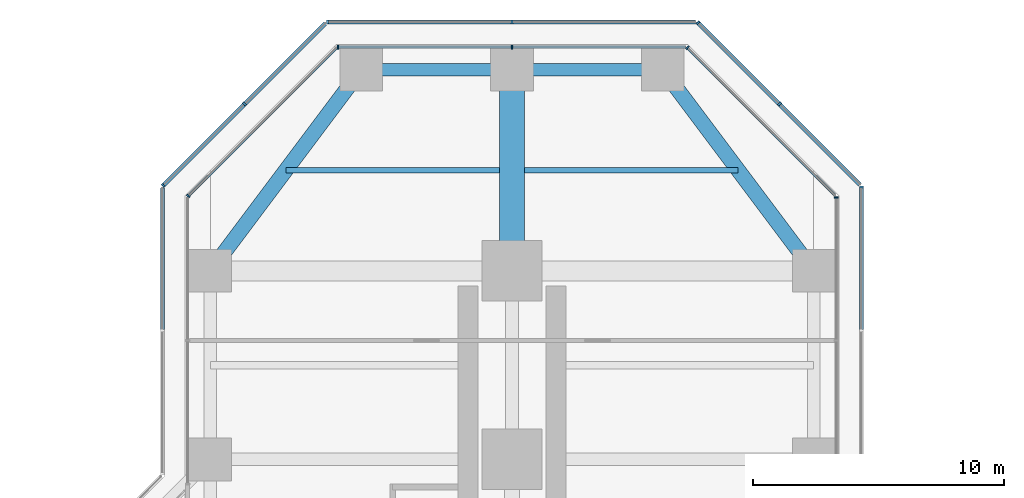
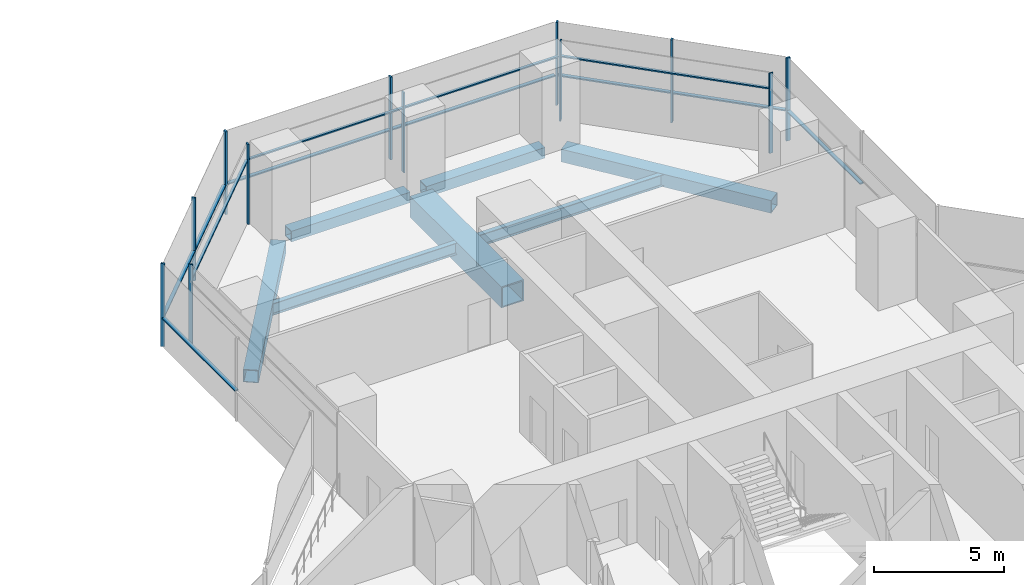
# One storey, part 13 of 22: 24 members, 7 beams, 9 elements without a shape of their own.
"""IFC4 building model written with IfcOpenShell, lengths in metres."""

from ifc_helpers import new_model, si_unit, direction, frame, origin, origin_2d, place, context, subcontext, project, spatial, rectangle, hollow_rectangle, i_section, extrude, material, material_profile, profile_set, type_object, element, aggregate, save


model = new_model("IFC4")

# Units and contexts
model_context = context("Model", 3, precision=1e-05, world=origin(), true_north=direction((0.0, 1.0)))
body_context = subcontext(model_context, "Body", "Model", "MODEL_VIEW")
ifc_project = project(units=[si_unit("LENGTHUNIT", "METRE"), si_unit("AREAUNIT", "SQUARE_METRE"), si_unit("VOLUMEUNIT", "CUBIC_METRE"), si_unit("PLANEANGLEUNIT", "RADIAN"), si_unit("MASSUNIT", "GRAM", prefix="KILO")], contexts=[model_context])

# Site, building, storey
site_placement = place(None, origin())
site = spatial("IfcSite", under=ifc_project, at=site_placement, CompositionType="ELEMENT")
building_placement = place(site_placement, origin())
building = spatial("IfcBuilding", under=site, at=building_placement, Name="Mizan Broadcast Tower", CompositionType="ELEMENT")
storey_placement = place(building_placement, frame((0.0, 0.0, 74.699951171875)))
storey = spatial("IfcBuildingStorey", under=building, at=storey_placement, Name="L15", CompositionType="ELEMENT", Elevation=74.699951171875)

# Beams
ifc_material_1 = material(Name="Steel S355", Category="steel")
ifc_material_profile_1 = material_profile(ifc_material_1, hollow_rectangle(XDim=0.5, YDim=0.5, WallThickness=0.030029296875, at=origin_2d()), Name="BOX 500x500x30")
ifc_profile_set_1 = profile_set([ifc_material_profile_1], Name="Steel S355")
beam_type_1 = type_object("IfcBeamType", Name="EDGE BEAM BOX 500x500x30", PredefinedType="SPANDREL", material=ifc_profile_set_1)
for number, where, z_axis, x_axis, name in (
    (1, (5.639892578125, 35.0, -0.3798828125), (-1.0, 0.0, 0.0), (0.0, -1.0, 0.0), "Edge beam BOX 500x500x30 L15 north arm"),
    (2, (-5.639892578125, 35.0, -0.3798828125), (1.0, 0.0, 0.0), (0.0, 1.0, 0.0), "Edge beam BOX 500x500x30 L15 north arm"),
):
    element("IfcBeam", number, at=place(storey_placement, frame(where, z_axis=z_axis, x_axis=x_axis)), inside=storey, type_object=beam_type_1, Name=name, PredefinedType="SPANDREL", context=body_context, shape_type="SweptSolid", body=[
        extrude(hollow_rectangle(XDim=0.5, YDim=0.5, WallThickness=0.030029296875, at=origin_2d()), origin(), (0.0, 0.0, 1.0), 5.27978515625),
    ])
ifc_material_2 = material(Name="Steel S355", Category="steel")
ifc_material_profile_2 = material_profile(ifc_material_2, hollow_rectangle(XDim=0.60009765625, YDim=0.60009765625, WallThickness=0.030029296875, at=origin_2d()), Name="BOX 600x600x30")
ifc_profile_set_2 = profile_set([ifc_material_profile_2], Name="Steel S355")
beam_type_2 = type_object("IfcBeamType", Name="EDGE BEAM BOX 600x600x30", PredefinedType="SPANDREL", material=ifc_profile_set_2)
for number, where, z_axis, x_axis, name in (
    (3, (11.639892578125, 27.47998046875, -0.429931640625), (-0.599982243973, 0.800013316712, 0.0), (-0.800013316712, -0.599982243973, 0.0), "Edge beam BOX 600x600x30 L15 north arm"),
    (4, (-11.639892578125, 27.47998046875, -0.429931640625), (0.599982243973, 0.800013316712, 0.0), (-0.800013316712, 0.599982243973, 0.0), "Edge beam BOX 600x600x30 L15 north arm"),
):
    element("IfcBeam", number, at=place(storey_placement, frame(where, z_axis=z_axis, x_axis=x_axis)), inside=storey, type_object=beam_type_2, Name=name, PredefinedType="SPANDREL", context=body_context, shape_type="SweptSolid", body=[
        extrude(hollow_rectangle(XDim=0.60009765625, YDim=0.60009765625, WallThickness=0.030029296875, at=origin_2d()), origin(), (0.0, 0.0, 1.0), 8.7998046875),
    ])
ifc_material_3 = material(Name="Steel S460", Category="steel")
ifc_material_profile_3 = material_profile(ifc_material_3, hollow_rectangle(XDim=1.0, YDim=1.0, WallThickness=0.06005859375, at=origin_2d()), Name="BOX 1000x1000x60")
ifc_profile_set_3 = profile_set([ifc_material_profile_3], Name="Steel S460")
beam_type_3 = type_object("IfcBeamType", Name="GIRDER BOX 1000x1000x60", PredefinedType="BEAM", material=ifc_profile_set_3)
beam_placement = place(storey_placement, frame((0.0, 27.47998046875, -0.6298828125), z_axis=(0.0, 1.0, 0.0), x_axis=(-1.0, 0.0, 0.0)))
element("IfcBeam", 5, at=beam_placement, inside=storey, type_object=beam_type_3, Name="Girder BOX 1000x1000x60 L15 north arm", PredefinedType="BEAM", context=body_context, shape_type="SweptSolid", body=[
    extrude(hollow_rectangle(XDim=1.0, YDim=1.0, WallThickness=0.06005859375, at=origin_2d()), origin(), (0.0, 0.0, 1.0), 7.0400390625),
])

# Curtain wall, member
ifc_material_4 = material(Name="Aluminium framed glazing", Category="aluminium")
curtain_wall_type_1 = type_object("IfcCurtainWallType", Name="INNER SKIN LOW ZONE", PredefinedType="USERDEFINED", material=ifc_material_4)
curtain_wall_1_placement = place(storey_placement, origin())
curtain_wall_1 = element("IfcCurtainWall", 6, at=curtain_wall_1_placement, inside=storey, type_object=curtain_wall_type_1, Name="Inner skin low zone L15 N side", ObjectType="INNER SKIN LOW ZONE", PredefinedType="USERDEFINED")
ifc_material_5 = material(Name="Aluminium, pale anodised", Category="aluminium")
ifc_material_profile_4 = material_profile(ifc_material_5, rectangle(XDim=0.159912109375, YDim=0.06005859375, at=origin_2d()), Name="MULLION 160x60")
ifc_profile_set_4 = profile_set([ifc_material_profile_4], Name="Aluminium, pale anodised")
member_type_1 = type_object("IfcMemberType", Name="INNER SKIN MULLION 60x160", PredefinedType="MULLION", material=ifc_profile_set_4)
member_1_placement = place(storey_placement, frame((12.89990234375, 29.928466796875, 0.0), z_axis=(0.0, 0.0, 1.0), x_axis=(-1.0, 0.0, 0.0)))
member_1 = element("IfcMember", 7, at=member_1_placement, type_object=member_type_1, Name="Inner skin low zone L15 N side mullion 3", PredefinedType="MULLION", context=body_context, shape_type="SweptSolid", body=[
    extrude(rectangle(XDim=0.159912109375, YDim=0.06005859375, at=origin_2d()), origin(), (0.0, 0.0, 1.0), 3.77001953125),
])
aggregate(curtain_wall_1, [member_1])

curtain_wall_2_placement = place(storey_placement, origin())
curtain_wall_2 = element("IfcCurtainWall", 8, at=curtain_wall_2_placement, inside=storey, type_object=curtain_wall_type_1, Name="Inner skin low zone L15 N chamfer", ObjectType="INNER SKIN LOW ZONE", PredefinedType="USERDEFINED")
member_2_placement = place(storey_placement, frame((6.979736328125, 35.87890625, 0.0), z_axis=(0.0, 0.0, 1.0), x_axis=(-0.707106781187, -0.707106781187, 0.0)))
member_2 = element("IfcMember", 9, at=member_2_placement, type_object=member_type_1, Name="Inner skin low zone L15 N chamfer mullion 2", PredefinedType="MULLION", context=body_context, shape_type="SweptSolid", body=[
    extrude(rectangle(XDim=0.159912109375, YDim=0.06005859375, at=origin_2d()), origin(), (0.0, 0.0, 1.0), 3.77001953125),
])

# Curtain wall, members
curtain_wall_3_placement = place(storey_placement, origin())
curtain_wall_3 = element("IfcCurtainWall", 10, at=curtain_wall_3_placement, inside=storey, type_object=curtain_wall_type_1, Name="Inner skin low zone L15 N end", ObjectType="INNER SKIN LOW ZONE", PredefinedType="USERDEFINED")
member_3_placement = place(storey_placement, frame((0.0, 35.89990234375, 0.0), z_axis=(0.0, 0.0, 1.0), x_axis=(0.0, -1.0, 0.0)))
member_3 = element("IfcMember", 11, at=member_3_placement, type_object=member_type_1, Name="Inner skin low zone L15 N end mullion 2", PredefinedType="MULLION", context=body_context, shape_type="SweptSolid", body=[
    extrude(rectangle(XDim=0.159912109375, YDim=0.06005859375, at=origin_2d()), origin(), (0.0, 0.0, 1.0), 3.77001953125),
])
member_4_placement = place(storey_placement, frame((-6.928466796875, 35.89990234375, 0.0), z_axis=(0.0, 0.0, 1.0), x_axis=(0.0, -1.0, 0.0)))
member_4 = element("IfcMember", 12, at=member_4_placement, type_object=member_type_1, Name="Inner skin low zone L15 N end mullion 3", PredefinedType="MULLION", context=body_context, shape_type="SweptSolid", body=[
    extrude(rectangle(XDim=0.159912109375, YDim=0.06005859375, at=origin_2d()), origin(), (0.0, 0.0, 1.0), 3.77001953125),
])

# Curtain wall, member
curtain_wall_4_placement = place(storey_placement, origin())
curtain_wall_4 = element("IfcCurtainWall", 13, at=curtain_wall_4_placement, inside=storey, type_object=curtain_wall_type_1, Name="Inner skin low zone L15 N chamfer", ObjectType="INNER SKIN LOW ZONE", PredefinedType="USERDEFINED")
member_5_placement = place(storey_placement, frame((-12.87890625, 29.979736328125, 0.0), z_axis=(0.0, 0.0, 1.0), x_axis=(0.707106781187, -0.707106781187, 0.0)))
member_5 = element("IfcMember", 14, at=member_5_placement, type_object=member_type_1, Name="Inner skin low zone L15 N chamfer mullion 2", PredefinedType="MULLION", context=body_context, shape_type="SweptSolid", body=[
    extrude(rectangle(XDim=0.159912109375, YDim=0.06005859375, at=origin_2d()), origin(), (0.0, 0.0, 1.0), 3.77001953125),
])

# Member
ifc_material_6 = material(Name="Aluminium, pale anodised", Category="aluminium")
ifc_material_profile_5 = material_profile(ifc_material_6, rectangle(XDim=0.1201171875, YDim=0.06005859375, at=origin_2d()), Name="TRANSOM 120x60")
ifc_profile_set_5 = profile_set([ifc_material_profile_5], Name="Aluminium, pale anodised")
member_type_2 = type_object("IfcMemberType", Name="INNER SKIN TRANSOM 60x120", PredefinedType="USERDEFINED", material=ifc_profile_set_5)
member_6_placement = place(storey_placement, frame((12.857666015625, 30.0009765625, 3.030029296875), z_axis=(-0.707106781187, 0.707106781187, 0.0), x_axis=(-0.707106781187, -0.707106781187, 0.0)))
member_6 = element("IfcMember", 15, at=member_6_placement, type_object=member_type_2, Name="Inner skin low zone L15 N chamfer transom 1.1", ObjectType="TRANSOM", PredefinedType="USERDEFINED", context=body_context, shape_type="SweptSolid", body=[
    extrude(rectangle(XDim=0.1201171875, YDim=0.06005859375, at=origin_2d()), origin(), (0.0, 0.0, 1.0), 8.28271484375),
])

aggregate(curtain_wall_2, [member_2, member_6])

member_7_placement = place(storey_placement, frame((6.898681640625, 35.89990234375, 3.030029296875), z_axis=(-1.0, 0.0, 0.0), x_axis=(0.0, -1.0, 0.0)))
member_7 = element("IfcMember", 16, at=member_7_placement, type_object=member_type_2, Name="Inner skin low zone L15 N end transom 1.1", ObjectType="TRANSOM", PredefinedType="USERDEFINED", context=body_context, shape_type="SweptSolid", body=[
    extrude(rectangle(XDim=0.1201171875, YDim=0.06005859375, at=origin_2d()), origin(), (0.0, 0.0, 1.0), 6.86865234375),
])

member_8_placement = place(storey_placement, frame((-0.030029296875, 35.89990234375, 3.030029296875), z_axis=(-1.0, 0.0, 0.0), x_axis=(0.0, -1.0, 0.0)))
member_8 = element("IfcMember", 17, at=member_8_placement, type_object=member_type_2, Name="Inner skin low zone L15 N end transom 2.1", ObjectType="TRANSOM", PredefinedType="USERDEFINED", context=body_context, shape_type="SweptSolid", body=[
    extrude(rectangle(XDim=0.1201171875, YDim=0.06005859375, at=origin_2d()), origin(), (0.0, 0.0, 1.0), 6.86865234375),
])

aggregate(curtain_wall_3, [member_3, member_4, member_7, member_8])

member_9_placement = place(storey_placement, frame((-7.0009765625, 35.857666015625, 3.030029296875), z_axis=(-0.707106781187, -0.707106781187, 0.0), x_axis=(0.707106781187, -0.707106781187, 0.0)))
member_9 = element("IfcMember", 18, at=member_9_placement, type_object=member_type_2, Name="Inner skin low zone L15 N chamfer transom 1.1", ObjectType="TRANSOM", PredefinedType="USERDEFINED", context=body_context, shape_type="SweptSolid", body=[
    extrude(rectangle(XDim=0.1201171875, YDim=0.06005859375, at=origin_2d()), origin(), (0.0, 0.0, 1.0), 8.28271484375),
])

aggregate(curtain_wall_4, [member_5, member_9])

# Curtain wall, member
ifc_material_7 = material(Name="Aluminium framed glazing", Category="aluminium")
curtain_wall_type_2 = type_object("IfcCurtainWallType", Name="OUTER SKIN", PredefinedType="USERDEFINED", material=ifc_material_7)
curtain_wall_5_placement = place(storey_placement, origin())
curtain_wall_5 = element("IfcCurtainWall", 19, at=curtain_wall_5_placement, inside=storey, type_object=curtain_wall_type_2, Name="Outer skin L15 N side", ObjectType="OUTER SKIN", PredefinedType="USERDEFINED")
ifc_material_8 = material(Name="Aluminium, pale anodised", Category="aluminium")
ifc_material_profile_6 = material_profile(ifc_material_8, rectangle(XDim=0.159912109375, YDim=0.080078125, at=origin_2d()), Name="MULLION 160x80")
ifc_profile_set_6 = profile_set([ifc_material_profile_6], Name="Aluminium, pale anodised")
member_type_3 = type_object("IfcMemberType", Name="OUTER SKIN MULLION 80x160", PredefinedType="MULLION", material=ifc_profile_set_6)
member_10_placement = place(storey_placement, frame((13.89990234375, 30.332763671875, 0.0), z_axis=(0.0, 0.0, 1.0), x_axis=(-1.0, 0.0, 0.0)))
member_10 = element("IfcMember", 20, at=member_10_placement, type_object=member_type_3, Name="Outer skin L15 N side mullion 3", PredefinedType="MULLION", context=body_context, shape_type="SweptSolid", body=[
    extrude(rectangle(XDim=0.159912109375, YDim=0.080078125, at=origin_2d()), origin(), (0.0, 0.0, 1.0), 3.900146484375),
])

# Curtain wall, members
curtain_wall_6_placement = place(storey_placement, origin())
curtain_wall_6 = element("IfcCurtainWall", 21, at=curtain_wall_6_placement, inside=storey, type_object=curtain_wall_type_2, Name="Outer skin L15 N chamfer", ObjectType="OUTER SKIN", PredefinedType="USERDEFINED")
member_11_placement = place(storey_placement, frame((10.636474609375, 33.636474609375, 0.0), z_axis=(0.0, 0.0, 1.0), x_axis=(-0.707106781187, -0.707106781187, 0.0)))
member_11 = element("IfcMember", 22, at=member_11_placement, type_object=member_type_3, Name="Outer skin L15 N chamfer mullion 2", PredefinedType="MULLION", context=body_context, shape_type="SweptSolid", body=[
    extrude(rectangle(XDim=0.159912109375, YDim=0.080078125, at=origin_2d()), origin(), (0.0, 0.0, 1.0), 3.900146484375),
])
member_12_placement = place(storey_placement, frame((7.401123046875, 36.871826171875, 0.0), z_axis=(0.0, 0.0, 1.0), x_axis=(-0.707106781187, -0.707106781187, 0.0)))
member_12 = element("IfcMember", 23, at=member_12_placement, type_object=member_type_3, Name="Outer skin L15 N chamfer mullion 3", PredefinedType="MULLION", context=body_context, shape_type="SweptSolid", body=[
    extrude(rectangle(XDim=0.159912109375, YDim=0.080078125, at=origin_2d()), origin(), (0.0, 0.0, 1.0), 3.900146484375),
])

curtain_wall_7_placement = place(storey_placement, origin())
curtain_wall_7 = element("IfcCurtainWall", 24, at=curtain_wall_7_placement, inside=storey, type_object=curtain_wall_type_2, Name="Outer skin L15 N end", ObjectType="OUTER SKIN", PredefinedType="USERDEFINED")
member_13_placement = place(storey_placement, frame((0.0, 36.89990234375, 0.0), z_axis=(0.0, 0.0, 1.0), x_axis=(0.0, -1.0, 0.0)))
member_13 = element("IfcMember", 25, at=member_13_placement, type_object=member_type_3, Name="Outer skin L15 N end mullion 2", PredefinedType="MULLION", context=body_context, shape_type="SweptSolid", body=[
    extrude(rectangle(XDim=0.159912109375, YDim=0.080078125, at=origin_2d()), origin(), (0.0, 0.0, 1.0), 3.900146484375),
])
member_14_placement = place(storey_placement, frame((-7.332763671875, 36.89990234375, 0.0), z_axis=(0.0, 0.0, 1.0), x_axis=(0.0, -1.0, 0.0)))
member_14 = element("IfcMember", 26, at=member_14_placement, type_object=member_type_3, Name="Outer skin L15 N end mullion 3", PredefinedType="MULLION", context=body_context, shape_type="SweptSolid", body=[
    extrude(rectangle(XDim=0.159912109375, YDim=0.080078125, at=origin_2d()), origin(), (0.0, 0.0, 1.0), 3.900146484375),
])

curtain_wall_8_placement = place(storey_placement, origin())
curtain_wall_8 = element("IfcCurtainWall", 27, at=curtain_wall_8_placement, inside=storey, type_object=curtain_wall_type_2, Name="Outer skin L15 N chamfer", ObjectType="OUTER SKIN", PredefinedType="USERDEFINED")
member_15_placement = place(storey_placement, frame((-10.636474609375, 33.636474609375, 0.0), z_axis=(0.0, 0.0, 1.0), x_axis=(0.707106781187, -0.707106781187, 0.0)))
member_15 = element("IfcMember", 28, at=member_15_placement, type_object=member_type_3, Name="Outer skin L15 N chamfer mullion 2", PredefinedType="MULLION", context=body_context, shape_type="SweptSolid", body=[
    extrude(rectangle(XDim=0.159912109375, YDim=0.080078125, at=origin_2d()), origin(), (0.0, 0.0, 1.0), 3.900146484375),
])
member_16_placement = place(storey_placement, frame((-13.871826171875, 30.401123046875, 0.0), z_axis=(0.0, 0.0, 1.0), x_axis=(0.707106781187, -0.707106781187, 0.0)))
member_16 = element("IfcMember", 29, at=member_16_placement, type_object=member_type_3, Name="Outer skin L15 N chamfer mullion 3", PredefinedType="MULLION", context=body_context, shape_type="SweptSolid", body=[
    extrude(rectangle(XDim=0.159912109375, YDim=0.080078125, at=origin_2d()), origin(), (0.0, 0.0, 1.0), 3.900146484375),
])

# Member
ifc_material_9 = material(Name="Aluminium, pale anodised", Category="aluminium")
ifc_material_profile_7 = material_profile(ifc_material_9, rectangle(XDim=0.159912109375, YDim=0.06005859375, at=origin_2d()), Name="TRANSOM 160x60")
ifc_profile_set_7 = profile_set([ifc_material_profile_7], Name="Aluminium, pale anodised")
member_type_4 = type_object("IfcMemberType", Name="OUTER SKIN TRANSOM 60x160", PredefinedType="USERDEFINED", material=ifc_profile_set_7)
member_17_placement = place(storey_placement, frame((13.89990234375, 24.662841796875, 1.400146484375), z_axis=(0.0, 1.0, 0.0), x_axis=(-1.0, 0.0, 0.0)))
member_17 = element("IfcMember", 30, at=member_17_placement, type_object=member_type_4, Name="Outer skin L15 N side transom 2.1", ObjectType="TRANSOM", PredefinedType="USERDEFINED", context=body_context, shape_type="SweptSolid", body=[
    extrude(rectangle(XDim=0.159912109375, YDim=0.06005859375, at=origin_2d()), origin(), (0.0, 0.0, 1.0), 5.6298828125),
])

aggregate(curtain_wall_5, [member_10, member_17])

member_18_placement = place(storey_placement, frame((13.843505859375, 30.429443359375, 1.400146484375), z_axis=(-0.707106781187, 0.707106781187, 0.0), x_axis=(-0.707106781187, -0.707106781187, 0.0)))
member_18 = element("IfcMember", 31, at=member_18_placement, type_object=member_type_4, Name="Outer skin L15 N chamfer transom 1.1", ObjectType="TRANSOM", PredefinedType="USERDEFINED", context=body_context, shape_type="SweptSolid", body=[
    extrude(rectangle(XDim=0.159912109375, YDim=0.06005859375, at=origin_2d()), origin(), (0.0, 0.0, 1.0), 4.495361328125),
])

member_19_placement = place(storey_placement, frame((10.608154296875, 33.664794921875, 1.400146484375), z_axis=(-0.707106781187, 0.707106781187, 0.0), x_axis=(-0.707106781187, -0.707106781187, 0.0)))
member_19 = element("IfcMember", 32, at=member_19_placement, type_object=member_type_4, Name="Outer skin L15 N chamfer transom 2.1", ObjectType="TRANSOM", PredefinedType="USERDEFINED", context=body_context, shape_type="SweptSolid", body=[
    extrude(rectangle(XDim=0.159912109375, YDim=0.06005859375, at=origin_2d()), origin(), (0.0, 0.0, 1.0), 4.495361328125),
])

aggregate(curtain_wall_6, [member_11, member_12, member_18, member_19])

member_20_placement = place(storey_placement, frame((7.292724609375, 36.89990234375, 1.400146484375), z_axis=(-1.0, 0.0, 0.0), x_axis=(0.0, -1.0, 0.0)))
member_20 = element("IfcMember", 33, at=member_20_placement, type_object=member_type_4, Name="Outer skin L15 N end transom 1.1", ObjectType="TRANSOM", PredefinedType="USERDEFINED", context=body_context, shape_type="SweptSolid", body=[
    extrude(rectangle(XDim=0.159912109375, YDim=0.06005859375, at=origin_2d()), origin(), (0.0, 0.0, 1.0), 7.252685546875),
])

member_21_placement = place(storey_placement, frame((-0.0400390625, 36.89990234375, 1.400146484375), z_axis=(-1.0, 0.0, 0.0), x_axis=(0.0, -1.0, 0.0)))
member_21 = element("IfcMember", 34, at=member_21_placement, type_object=member_type_4, Name="Outer skin L15 N end transom 2.1", ObjectType="TRANSOM", PredefinedType="USERDEFINED", context=body_context, shape_type="SweptSolid", body=[
    extrude(rectangle(XDim=0.159912109375, YDim=0.06005859375, at=origin_2d()), origin(), (0.0, 0.0, 1.0), 7.252685546875),
])

aggregate(curtain_wall_7, [member_13, member_14, member_20, member_21])

member_22_placement = place(storey_placement, frame((-7.429443359375, 36.843505859375, 1.400146484375), z_axis=(-0.707106781187, -0.707106781187, 0.0), x_axis=(0.707106781187, -0.707106781187, 0.0)))
member_22 = element("IfcMember", 35, at=member_22_placement, type_object=member_type_4, Name="Outer skin L15 N chamfer transom 1.1", ObjectType="TRANSOM", PredefinedType="USERDEFINED", context=body_context, shape_type="SweptSolid", body=[
    extrude(rectangle(XDim=0.159912109375, YDim=0.06005859375, at=origin_2d()), origin(), (0.0, 0.0, 1.0), 4.495361328125),
])

member_23_placement = place(storey_placement, frame((-10.664794921875, 33.608154296875, 1.400146484375), z_axis=(-0.707106781187, -0.707106781187, 0.0), x_axis=(0.707106781187, -0.707106781187, 0.0)))
member_23 = element("IfcMember", 36, at=member_23_placement, type_object=member_type_4, Name="Outer skin L15 N chamfer transom 2.1", ObjectType="TRANSOM", PredefinedType="USERDEFINED", context=body_context, shape_type="SweptSolid", body=[
    extrude(rectangle(XDim=0.159912109375, YDim=0.06005859375, at=origin_2d()), origin(), (0.0, 0.0, 1.0), 4.495361328125),
])

aggregate(curtain_wall_8, [member_15, member_16, member_22, member_23])

# Curtain wall, member
curtain_wall_9_placement = place(storey_placement, origin())
curtain_wall_9 = element("IfcCurtainWall", 37, at=curtain_wall_9_placement, inside=storey, type_object=curtain_wall_type_2, Name="Outer skin L15 N side", ObjectType="OUTER SKIN", PredefinedType="USERDEFINED")
member_24_placement = place(storey_placement, frame((-13.89990234375, 30.292724609375, 1.400146484375), z_axis=(0.0, -1.0, 0.0), x_axis=(1.0, 0.0, 0.0)))
member_24 = element("IfcMember", 38, at=member_24_placement, type_object=member_type_4, Name="Outer skin L15 N side transom 1.1", ObjectType="TRANSOM", PredefinedType="USERDEFINED", context=body_context, shape_type="SweptSolid", body=[
    extrude(rectangle(XDim=0.159912109375, YDim=0.06005859375, at=origin_2d()), origin(), (0.0, 0.0, 1.0), 5.6298828125),
])
aggregate(curtain_wall_9, [member_24])

# Beams
ifc_material_10 = material(Name="Steel S355", Category="steel")
ifc_material_profile_8 = material_profile(ifc_material_10, i_section(OverallWidth=0.2099609375, OverallDepth=0.550048828125, WebThickness=0.010986328125, FlangeThickness=0.01708984375, FilletRadius=0.02392578125, at=origin_2d()), Name="IPE 550")
ifc_profile_set_8 = profile_set([ifc_material_profile_8], Name="Steel S355")
beam_type_4 = type_object("IfcBeamType", Name="SECONDARY BEAM IPE 550", PredefinedType="JOIST", material=ifc_profile_set_8)
for number, where, z_axis, x_axis, name in (
    (39, (9.0, 31.0, -0.405029296875), (-1.0, 0.0, 0.0), (0.0, -1.0, 0.0), "Secondary beam IPE 550 L15 north arm"),
    (40, (-9.0, 31.0, -0.405029296875), (1.0, 0.0, 0.0), (0.0, 1.0, 0.0), "Secondary beam IPE 550 L15 north arm"),
):
    element("IfcBeam", number, at=place(storey_placement, frame(where, z_axis=z_axis, x_axis=x_axis)), inside=storey, type_object=beam_type_4, Name=name, PredefinedType="JOIST", context=body_context, shape_type="SweptSolid", body=[
        extrude(i_section(OverallWidth=0.2099609375, OverallDepth=0.550048828125, WebThickness=0.010986328125, FlangeThickness=0.01708984375, FilletRadius=0.02392578125, at=origin_2d()), origin(), (0.0, 0.0, 1.0), 8.5),
    ])

save(model, "model.ifc")
